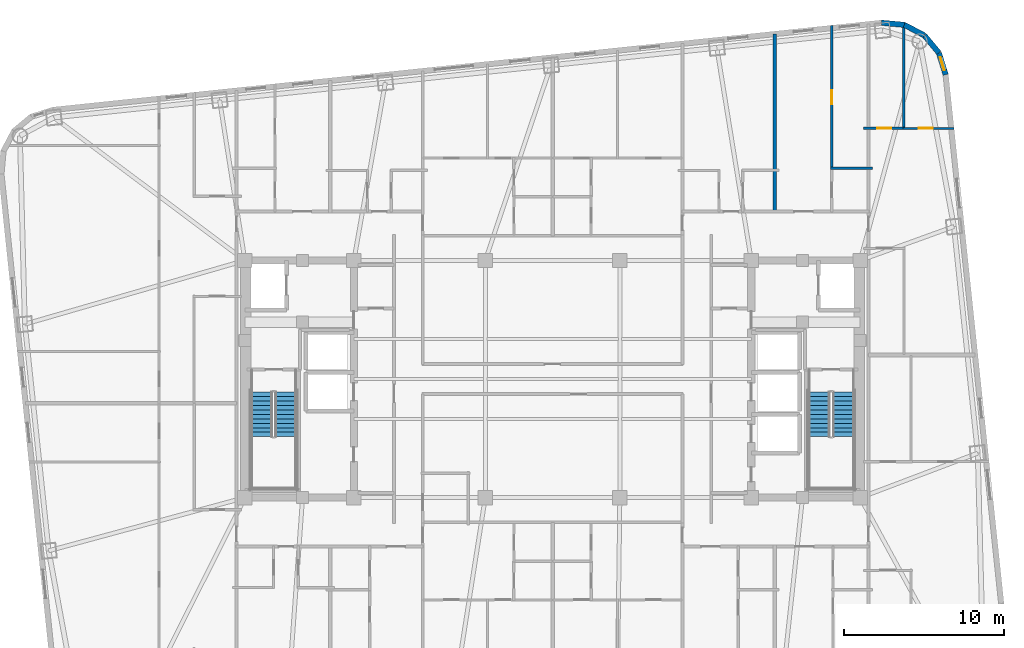
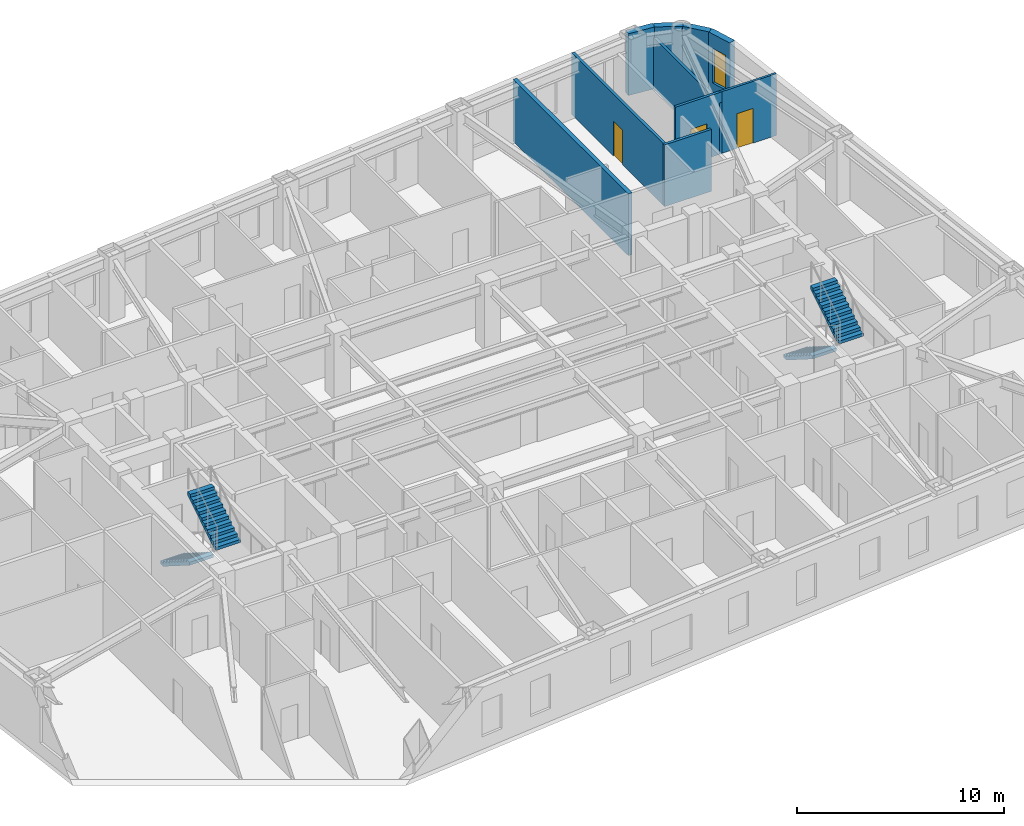
# One storey, part 9 of 11: 10 walls, 4 stair flights, 3 doors, 1 window, 4 openings, 2 elements without a shape of their own.
"""IFC4 building model written with IfcOpenShell, lengths in metres."""

import ifcopenshell
import ifcopenshell.guid

model = None  # the IFC model being written
_history = None  # IfcOwnerHistory: only IFC2X3 demands one
_inside = {}  # id of a spatial element -> (the spatial element, [elements in it])
_under = {}  # id of a project, library or spatial element -> (it, [spatial elements below it])
_declared = {}  # id of a project -> (the project, [libraries it declares])
_typed = {}  # id of a type object -> (the type object, [elements of that type])
_made_of = {}  # id of a material, layer set ... -> (it, [elements and type objects made of it])


def new_model(schema):
    """Start an empty IFC model of exactly this schema.

    Asked for "IFC4X3", IfcOpenShell would pick the latest addendum, in which some entities
    have other attributes; the version numbers below select the first issue.
    IFC2X3 requires an IfcOwnerHistory on every rooted entity: one is made here for all.
    """
    global model, _history
    if schema == "IFC4X3":
        model = ifcopenshell.file(schema_version=(4, 3, 0, 0))
    else:
        model = ifcopenshell.file(schema=schema)
    _inside.clear()
    _under.clear()
    _declared.clear()
    _typed.clear()
    _made_of.clear()
    _history = None
    if model.schema == "IFC2X3":
        org = make("IfcOrganization", Name="unknown")
        user = make(
            "IfcPersonAndOrganization",
            ThePerson=make("IfcPerson", FamilyName="unknown"),
            TheOrganization=org,
        )
        app = make(
            "IfcApplication",
            ApplicationDeveloper=org,
            Version="unknown",
            ApplicationFullName="unknown",
            ApplicationIdentifier="unknown",
        )
        _history = make(
            "IfcOwnerHistory",
            OwningUser=user,
            OwningApplication=app,
            ChangeAction="ADDED",
            CreationDate=0,
        )
    return model


def make(cls, **values):
    """One entity of the class cls with the attributes given. An attribute that is None is left unset."""
    return model.create_entity(
        cls, **{name: value for name, value in values.items() if value is not None}
    )


def rooted(cls, **values):
    """An entity with a GlobalId (a new one), such as an element, a storey or a relation."""
    return make(cls, GlobalId=ifcopenshell.guid.new(), OwnerHistory=_history, **values)


def si_unit(unit_type, name, prefix=None):
    """IfcSIUnit, for example si_unit("LENGTHUNIT", "METRE", prefix="MILLI")."""
    return make("IfcSIUnit", UnitType=unit_type, Prefix=prefix, Name=name)


def assignment(units):
    """IfcUnitAssignment: the units of a project."""
    return None if units is None else make("IfcUnitAssignment", Units=units)


def point(xyz):
    """IfcCartesianPoint."""
    return None if xyz is None else make("IfcCartesianPoint", Coordinates=xyz)


def direction(xyz):
    """IfcDirection."""
    return None if xyz is None else make("IfcDirection", DirectionRatios=xyz)


def frame(location, z_axis=None, x_axis=None):
    """IfcAxis2Placement3D, a coordinate frame: its origin and axes. An axis left out is left unset."""
    return make(
        "IfcAxis2Placement3D",
        Location=point(location),
        Axis=direction(z_axis),
        RefDirection=direction(x_axis),
    )


def frame_2d(location, x_axis=None):
    """IfcAxis2Placement2D, a coordinate frame in the plane: its origin and x axis."""
    return make(
        "IfcAxis2Placement2D", Location=point(location), RefDirection=direction(x_axis)
    )


def origin():
    """The frame at (0, 0, 0) with its axes left unset."""
    return frame((0.0, 0.0, 0.0))


def place(relative_to, where):
    """IfcLocalPlacement: puts the frame where relative to a parent placement (None: the world)."""
    return make(
        "IfcLocalPlacement", PlacementRelTo=relative_to, RelativePlacement=where
    )


def context(
    kind, dimensions, precision=None, world=None, true_north=None, identifier=None
):
    """IfcGeometricRepresentationContext, for example the 3D "Model" context."""
    return make(
        "IfcGeometricRepresentationContext",
        ContextIdentifier=identifier,
        ContextType=kind,
        CoordinateSpaceDimension=dimensions,
        Precision=precision,
        WorldCoordinateSystem=world,
        TrueNorth=true_north,
    )


def subcontext(parent, identifier, kind, view, scale=None):
    """IfcGeometricRepresentationSubContext, for example "Body" below "Model"."""
    return make(
        "IfcGeometricRepresentationSubContext",
        ContextIdentifier=identifier,
        ContextType=kind,
        ParentContext=parent,
        TargetScale=scale,
        TargetView=view,
    )


def project(units=None, contexts=None):
    """IfcProject with its units and contexts."""
    return rooted(
        "IfcProject",
        Name="project",
        RepresentationContexts=contexts,
        UnitsInContext=assignment(units),
    )


def spatial(cls, under=None, at=None, **own):
    """A site, building, storey or space (cls), placed at a placement, below another one or the project."""
    s = rooted(cls, ObjectPlacement=at, **own)
    if under is not None:
        _under.setdefault(under.id(), (under, []))[1].append(s)
    return s


def polyline(points):
    """IfcPolyline through the points."""
    return make("IfcPolyline", Points=[point(p) for p in points])


def profile(cls, at=None, kind="AREA", **sizes):
    """A parametric profile (cls). Its sizes go by their IFC names, for example OverallWidth=200.0."""
    return make(cls, ProfileType=kind, Position=at, **sizes)


def rectangle(**sizes):
    """IfcRectangleProfileDef."""
    return profile("IfcRectangleProfileDef", **sizes)


def outline(outer, holes=None, kind="AREA"):
    """IfcArbitraryClosedProfileDef: a profile drawn as a closed curve; with holes, ...WithVoids."""
    if holes is None:
        return make("IfcArbitraryClosedProfileDef", ProfileType=kind, OuterCurve=outer)
    return make(
        "IfcArbitraryProfileDefWithVoids",
        ProfileType=kind,
        OuterCurve=outer,
        InnerCurves=holes,
    )


def extrude(swept, where, along, depth):
    """IfcExtrudedAreaSolid: the profile swept, set in the frame where, extruded along a direction by depth."""
    return make(
        "IfcExtrudedAreaSolid",
        SweptArea=swept,
        Position=where,
        ExtrudedDirection=direction(along),
        Depth=depth,
    )


def shape(context_of_items, identifier, shape_type, items):
    """IfcShapeRepresentation: the items that make up one representation, for example the "Body"."""
    return make(
        "IfcShapeRepresentation",
        ContextOfItems=context_of_items,
        RepresentationIdentifier=identifier,
        RepresentationType=shape_type,
        Items=items,
    )


def material(Name=None, Category=None):
    """IfcMaterial."""
    return make("IfcMaterial", Name=Name, Category=Category)


def layer(
    of_material, thickness, ventilated=None, Name=None, Category=None, Priority=None
):
    """IfcMaterialLayer: one layer of a wall or slab, of a material (None: an air gap)."""
    return make(
        "IfcMaterialLayer",
        Material=of_material,
        LayerThickness=thickness,
        IsVentilated=ventilated,
        Name=Name,
        Category=Category,
        Priority=Priority,
    )


def layer_set(layers, Name=None):
    """IfcMaterialLayerSet."""
    return make("IfcMaterialLayerSet", MaterialLayers=layers, LayerSetName=Name)


def made_of(thing, what):
    """Note that an element or type object is made of a material, layer set ...; save() writes the relation."""
    if what is not None:
        _made_of.setdefault(what.id(), (what, []))[1].append(thing)
    return thing


def type_object(cls, material=None, **own):
    """A type object (cls), such as IfcWallType, which elements share."""
    return made_of(rooted(cls, **own), material)


def element(
    cls,
    number,
    at=None,
    inside=None,
    cuts=None,
    type_object=None,
    material=None,
    context=None,
    identifier="Body",
    shape_type=None,
    held_by="IfcProductDefinitionShape",
    body=None,
    shapes=None,
    **own,
):
    """One element of the class cls, such as IfcWall. Its Tag is "e" and its number.

    at: its placement. inside: the storey or other place that contains it. cuts: it is an
    opening in that element (IfcRelVoidsElement). A single representation is given by context,
    identifier, shape_type and body (its items); several are given by shapes. held_by: the class
    of the entity that holds the representations. save() writes the other relations.
    """
    e = rooted(cls, Tag="e%d" % number, ObjectPlacement=at, **own)
    if body is not None:
        shapes = [shape(context, identifier, shape_type, body)]
    if shapes is not None:
        e.Representation = make(held_by, Representations=shapes)
    if inside is not None:
        _inside.setdefault(inside.id(), (inside, []))[1].append(e)
    if cuts is not None:
        rooted(
            "IfcRelVoidsElement", RelatingBuildingElement=cuts, RelatedOpeningElement=e
        )
    if type_object is not None:
        _typed.setdefault(type_object.id(), (type_object, []))[1].append(e)
    return made_of(e, material)


def fill(opening, filler):
    """IfcRelFillsElement: the door or window that sits in an opening."""
    return rooted(
        "IfcRelFillsElement",
        RelatingOpeningElement=opening,
        RelatedBuildingElement=filler,
    )


def aggregate(whole, parts):
    """IfcRelAggregates: a whole, such as a stair, and the parts it consists of."""
    return rooted("IfcRelAggregates", RelatingObject=whole, RelatedObjects=parts)


def save(model, path):
    """Write the relations noted so far, then the file.

    IfcRelAggregates (storeys below a building ...), IfcRelContainedInSpatialStructure (elements
    in a storey), IfcRelDefinesByType, IfcRelAssociatesMaterial and IfcRelDeclares: one each for
    every whole, place, type object, material and project.
    """
    for whole, parts in _under.values():
        aggregate(whole, parts)
    for where, things in _inside.values():
        rooted(
            "IfcRelContainedInSpatialStructure",
            RelatedElements=things,
            RelatingStructure=where,
        )
    for kind, things in _typed.values():
        rooted("IfcRelDefinesByType", RelatedObjects=things, RelatingType=kind)
    for what, things in _made_of.values():
        rooted("IfcRelAssociatesMaterial", RelatedObjects=things, RelatingMaterial=what)
    for by, libraries in _declared.values():
        rooted("IfcRelDeclares", RelatingContext=by, RelatedDefinitions=libraries)
    model.write(path)


model = new_model("IFC4")

# Units and contexts
model_context = context("Model", 3, precision=1e-05, world=origin(), true_north=direction((0.0, 1.0)))
body_context = subcontext(model_context, "Body", "Model", "MODEL_VIEW")
ifc_project = project(units=[si_unit("LENGTHUNIT", "METRE"), si_unit("AREAUNIT", "SQUARE_METRE"), si_unit("VOLUMEUNIT", "CUBIC_METRE"), si_unit("PLANEANGLEUNIT", "RADIAN"), si_unit("MASSUNIT", "GRAM", prefix="KILO")], contexts=[model_context])

# Site, building, storey
site_placement = place(None, origin())
site = spatial("IfcSite", under=ifc_project, at=site_placement, CompositionType="ELEMENT")
building_placement = place(site_placement, origin())
building = spatial("IfcBuilding", under=site, at=building_placement, Name="Voryun Gate Residences", CompositionType="ELEMENT")
storey_placement = place(building_placement, frame((0.0, 0.0, 163.800048828125)))
storey = spatial("IfcBuildingStorey", under=building, at=storey_placement, Name="L40", CompositionType="ELEMENT", Elevation=163.800048828125)

# Walls
ifc_material_1 = material(Name="Charcoal terracotta masonry", Category="masonry")
ifc_layer_1 = layer(ifc_material_1, 0.340087890625, Name="W_EXT_TERRACOTTA_340")
ifc_layer_set_1 = layer_set([ifc_layer_1], Name="Charcoal terracotta masonry")
wall_type_1 = type_object("IfcWallType", Name="W_EXT_TERRACOTTA_340", PredefinedType="ELEMENTEDWALL", material=ifc_layer_set_1)
wall_1_placement = place(storey_placement, frame((20.5263671875, 22.235107421875, 0.0), z_axis=(0.0, 0.0, 1.0), x_axis=(0.995800460351, -0.091550222087, 0.0)))
element("IfcWall", 1, at=wall_1_placement, inside=storey, type_object=wall_type_1, Name="Exterior wall WEXT-L40-12", PredefinedType="ELEMENTEDWALL", context=body_context, shape_type="SweptSolid", body=[
    extrude(rectangle(XDim=1.43212890625, YDim=0.340087890625, at=frame_2d((0.716064453125, 0.0))), origin(), (0.0, 0.0, 1.0), 3.64990234375),
])
wall_2_placement = place(storey_placement, frame((21.952392578125, 22.10400390625, 0.0), z_axis=(0.0, 0.0, 1.0), x_axis=(0.885023004245, -0.465547292933, 0.0)))
element("IfcWall", 2, at=wall_2_placement, inside=storey, type_object=wall_type_1, Name="Exterior wall WEXT-L40-13", PredefinedType="ELEMENTEDWALL", context=body_context, shape_type="SweptSolid", body=[
    extrude(rectangle(XDim=1.414794921875, YDim=0.340087890625, at=frame_2d((0.70751953125, 0.0))), origin(), (0.0, 0.0, 1.0), 3.64990234375),
])
wall_3_placement = place(storey_placement, frame((23.20458984375, 21.4453125, 0.0), z_axis=(0.0, 0.0, 1.0), x_axis=(0.639539337522, -0.768758372808, 0.0)))
element("IfcWall", 3, at=wall_3_placement, inside=storey, type_object=wall_type_1, Name="Exterior wall WEXT-L40-14", PredefinedType="ELEMENTEDWALL", context=body_context, shape_type="SweptSolid", body=[
    extrude(rectangle(XDim=1.4150390625, YDim=0.340087890625, at=frame_2d((0.70751953125, 0.0))), origin(), (0.0, 0.0, 1.0), 3.64990234375),
])

# Wall, opening, window
wall_4_placement = place(storey_placement, frame((24.109619140625, 20.357421875, 0.0), z_axis=(0.0, 0.0, 1.0), x_axis=(0.296420660287, -0.955057481074, 0.0)))
wall_4 = element("IfcWall", 4, at=wall_4_placement, inside=storey, type_object=wall_type_1, Name="Exterior wall WEXT-L40-15", PredefinedType="ELEMENTEDWALL", context=body_context, shape_type="SweptSolid", body=[
    extrude(rectangle(XDim=1.432373046875, YDim=0.340087890625, at=frame_2d((0.71630859375, 0.0))), origin(), (0.0, 0.0, 1.0), 3.64990234375),
])
opening_1_placement = place(wall_4_placement, frame((0.291015625, 0.0, 0.75)))
opening_1 = element("IfcOpeningElement", 5, at=opening_1_placement, cuts=wall_4, Name="Opening WN9", PredefinedType="OPENING", context=body_context, shape_type="SweptSolid", body=[
    extrude(rectangle(XDim=0.85009765625, YDim=2.050048828125, at=frame_2d((0.425048828125, 1.02490234375))), frame((0.0, 0.179931640625, 0.0), z_axis=(0.0, -1.0, 0.0), x_axis=(1.0, 0.0, 0.0)), (0.0, 0.0, 1.0), 0.360107421875),
])
ifc_material_2 = material(Name="Laminated low-E glass", Category="glass")
window_type = type_object("IfcWindowType", Name="WN_RES_CASEMENT_850", PartitioningType="SINGLE_PANEL", PredefinedType="WINDOW", material=ifc_material_2)
window_placement = place(opening_1_placement, origin())
window = element("IfcWindow", 6, at=window_placement, inside=storey, type_object=window_type, Name="Window WN-L40-DWFIX-27", OverallHeight=2.050048828125, OverallWidth=0.85009765625, PartitioningType="SINGLE_PANEL", PredefinedType="WINDOW", context=body_context, shape_type="SweptSolid", body=[
    extrude(rectangle(XDim=0.85009765625, YDim=2.050048828125, at=frame_2d((0.425048828125, 1.02490234375))), frame((0.0, 0.030029296875, 0.0), z_axis=(0.0, -1.0, 0.0), x_axis=(1.0, 0.0, 0.0)), (0.0, 0.0, 1.0), 0.06005859375),
])
fill(opening_1, window)

# Wall
ifc_material_3 = material(Name="Concrete C40/50", Category="concrete")
ifc_layer_2 = layer(ifc_material_3, 0.219970703125, Name="W_PARTY_ACOUSTIC_220")
ifc_layer_set_2 = layer_set([ifc_layer_2], Name="Concrete C40/50")
wall_type_2 = type_object("IfcWallType", Name="W_PARTY_ACOUSTIC_220", PredefinedType="PARTITIONING", material=ifc_layer_set_2)
wall_5_placement = place(storey_placement, frame((13.864990234375, 10.3701171875, 0.0), z_axis=(0.0, 0.0, 1.0), x_axis=(0.0, 1.0, 0.0)))
element("IfcWall", 7, at=wall_5_placement, inside=storey, type_object=wall_type_2, Name="Partition wall WP-L40-NPTY-4", PredefinedType="PARTITIONING", context=body_context, shape_type="SweptSolid", body=[
    extrude(rectangle(XDim=11.164794921875, YDim=0.219970703125, at=frame_2d((5.58251953125, 0.0))), origin(), (0.0, 0.0, 1.0), 3.64990234375),
])

# Wall, opening, door
ifc_material_4 = material(Name="Gypsum acoustic partition")
ifc_layer_3 = layer(ifc_material_4, 0.125, Name="W_UNIT_PART_125")
ifc_layer_set_3 = layer_set([ifc_layer_3], Name="Gypsum acoustic partition")
wall_type_3 = type_object("IfcWallType", Name="W_UNIT_PART_125", PredefinedType="PARTITIONING", material=ifc_layer_set_3)
wall_6_placement = place(storey_placement, frame((21.860107421875, 15.64208984375, 0.0), z_axis=(0.0, 0.0, 1.0), x_axis=(1.0, 0.0, 0.0)))
wall_6 = element("IfcWall", 8, at=wall_6_placement, inside=storey, type_object=wall_type_3, Name="Partition wall WP-L40-E2-OHZ", PredefinedType="PARTITIONING", context=body_context, shape_type="SweptSolid", body=[
    extrude(rectangle(XDim=3.1767578125, YDim=0.125, at=frame_2d((1.58837890625, 0.0))), origin(), (0.0, 0.0, 1.0), 3.64990234375),
])
opening_2_placement = place(wall_6_placement, frame((0.9794921875, 0.0, 0.0)))
opening_2 = element("IfcOpeningElement", 9, at=opening_2_placement, cuts=wall_6, Name="Opening D-INT-2", PredefinedType="OPENING", context=body_context, shape_type="SweptSolid", body=[
    extrude(rectangle(XDim=0.89990234375, YDim=2.050048828125, at=frame_2d((0.449951171875, 1.02490234375))), frame((0.0, 0.072509765625, 0.0), z_axis=(0.0, -1.0, 0.0), x_axis=(1.0, 0.0, 0.0)), (0.0, 0.0, 1.0), 0.14501953125),
])
ifc_material_5 = material(Name="Architectural oak veneer")
door_type = type_object("IfcDoorType", Name="DR_INT_BATH_900", OperationType="NOTDEFINED", PredefinedType="DOOR", material=ifc_material_5)
door_1_placement = place(opening_2_placement, origin())
door_1 = element("IfcDoor", 10, at=door_1_placement, inside=storey, type_object=door_type, Name="Door DR-L40-E2-DMB", OperationType="SINGLE_SWING_LEFT", OverallHeight=2.050048828125, OverallWidth=0.89990234375, PredefinedType="DOOR", context=body_context, shape_type="SweptSolid", body=[
    extrude(rectangle(XDim=0.89990234375, YDim=2.050048828125, at=frame_2d((0.449951171875, 1.02490234375))), frame((0.0, 0.02490234375, 0.0), z_axis=(0.0, -1.0, 0.0), x_axis=(1.0, 0.0, 0.0)), (0.0, 0.0, 1.0), 0.050048828125),
])
fill(opening_2, door_1)

# Wall
ifc_material_6 = material(Name="Gypsum moisture-resistant partition")
ifc_layer_4 = layer(ifc_material_6, 0.14990234375, Name="W_WET_PLUMB_150")
ifc_layer_set_4 = layer_set([ifc_layer_4], Name="Gypsum moisture-resistant partition")
wall_type_4 = type_object("IfcWallType", Name="W_WET_PLUMB_150", PredefinedType="PLUMBINGWALL", material=ifc_layer_set_4)
wall_7_placement = place(storey_placement, frame((17.3369140625, 13.14990234375, 0.0), z_axis=(0.0, 0.0, 1.0), x_axis=(1.0, 0.0, 0.0)))
element("IfcWall", 11, at=wall_7_placement, inside=storey, type_object=wall_type_4, Name="Partition wall WP-L40-N5-SKB", PredefinedType="PLUMBINGWALL", context=body_context, shape_type="SweptSolid", body=[
    extrude(rectangle(XDim=2.633056640625, YDim=0.14990234375, at=frame_2d((1.31640625, 0.0))), origin(), (0.0, 0.0, 1.0), 3.64990234375),
])

# Wall, opening, door
wall_8_placement = place(storey_placement, frame((17.4169921875, 13.110107421875, 0.0), z_axis=(0.0, 0.0, 1.0), x_axis=(0.0, 1.0, 0.0)))
wall_8 = element("IfcWall", 12, at=wall_8_placement, inside=storey, type_object=wall_type_4, Name="Partition wall WP-L40-N5-SVT2", PredefinedType="PLUMBINGWALL", context=body_context, shape_type="SweptSolid", body=[
    extrude(rectangle(XDim=8.948974609375, YDim=0.14990234375, at=frame_2d((4.474609375, 0.0))), origin(), (0.0, 0.0, 1.0), 3.64990234375),
])
opening_3_placement = place(wall_8_placement, frame((4.024658203125, 0.0, 0.0)))
opening_3 = element("IfcOpeningElement", 13, at=opening_3_placement, cuts=wall_8, Name="Opening D-INT-2", PredefinedType="OPENING", context=body_context, shape_type="SweptSolid", body=[
    extrude(rectangle(XDim=0.89990234375, YDim=2.050048828125, at=frame_2d((0.449951171875, 1.02490234375))), frame((0.0, 0.0849609375, 0.0), z_axis=(0.0, -1.0, 0.0), x_axis=(1.0, 0.0, 0.0)), (0.0, 0.0, 1.0), 0.169921875),
])
door_2_placement = place(opening_3_placement, origin())
door_2 = element("IfcDoor", 14, at=door_2_placement, inside=storey, type_object=door_type, Name="Door DR-L40-N5-DK", OperationType="SINGLE_SWING_RIGHT", OverallHeight=2.050048828125, OverallWidth=0.89990234375, PredefinedType="DOOR", context=body_context, shape_type="SweptSolid", body=[
    extrude(rectangle(XDim=0.89990234375, YDim=2.050048828125, at=frame_2d((0.449951171875, 1.02490234375))), frame((0.0, 0.02490234375, 0.0), z_axis=(0.0, -1.0, 0.0), x_axis=(1.0, 0.0, 0.0)), (0.0, 0.0, 1.0), 0.050048828125),
])
fill(opening_3, door_2)

wall_9_placement = place(storey_placement, frame((19.39990234375, 15.64208984375, 0.0), z_axis=(0.0, 0.0, 1.0), x_axis=(1.0, 0.0, 0.0)))
wall_9 = element("IfcWall", 15, at=wall_9_placement, inside=storey, type_object=wall_type_4, Name="Partition wall WP-L40-E2-IBB", PredefinedType="PLUMBINGWALL", context=body_context, shape_type="SweptSolid", body=[
    extrude(rectangle(XDim=2.60009765625, YDim=0.14990234375, at=frame_2d((1.300048828125, 0.0))), origin(), (0.0, 0.0, 1.0), 3.64990234375),
])
opening_4_placement = place(wall_9_placement, frame((0.85009765625, 0.0, 0.0)))
opening_4 = element("IfcOpeningElement", 16, at=opening_4_placement, cuts=wall_9, Name="Opening D-INT-2", PredefinedType="OPENING", context=body_context, shape_type="SweptSolid", body=[
    extrude(rectangle(XDim=0.89990234375, YDim=2.050048828125, at=frame_2d((0.449951171875, 1.02490234375))), frame((0.0, 0.0849609375, 0.0), z_axis=(0.0, -1.0, 0.0), x_axis=(1.0, 0.0, 0.0)), (0.0, 0.0, 1.0), 0.169921875),
])
door_3_placement = place(opening_4_placement, origin())
door_3 = element("IfcDoor", 17, at=door_3_placement, inside=storey, type_object=door_type, Name="Door DR-L40-E2-DB", OperationType="SINGLE_SWING_RIGHT", OverallHeight=2.050048828125, OverallWidth=0.89990234375, PredefinedType="DOOR", context=body_context, shape_type="SweptSolid", body=[
    extrude(rectangle(XDim=0.89990234375, YDim=2.050048828125, at=frame_2d((0.449951171875, 1.02490234375))), frame((0.0, 0.02490234375, 0.0), z_axis=(0.0, -1.0, 0.0), x_axis=(1.0, 0.0, 0.0)), (0.0, 0.0, 1.0), 0.050048828125),
])
fill(opening_4, door_3)

# Wall
wall_10_placement = place(storey_placement, frame((21.919921875, 15.56201171875, 0.0), z_axis=(0.0, 0.0, 1.0), x_axis=(0.0, 1.0, 0.0)))
element("IfcWall", 18, at=wall_10_placement, inside=storey, type_object=wall_type_4, Name="Partition wall WP-L40-E2-VTB", PredefinedType="PLUMBINGWALL", context=body_context, shape_type="SweptSolid", body=[
    extrude(rectangle(XDim=6.69580078125, YDim=0.14990234375, at=frame_2d((3.347900390625, 0.0))), origin(), (0.0, 0.0, 1.0), 3.0400390625),
])

# Stair, stair flights
ifc_material_7 = material(Name="Concrete C40/50", Category="concrete")
stair_type = type_object("IfcStairType", Name="STR_CORE_DOGLEG_1350", PredefinedType="HALF_TURN_STAIR", material=ifc_material_7)
stair_1_placement = place(storey_placement, origin())
stair_1 = element("IfcStair", 19, at=stair_1_placement, inside=storey, type_object=stair_type, Name="L40 Special Escape Stair ST-W1", PredefinedType="HALF_TURN_STAIR")
ifc_material_8 = material(Name="Concrete C40/50", Category="concrete")
stair_flight_type = type_object("IfcStairFlightType", Name="FLT_CORE_1350", PredefinedType="STRAIGHT", material=ifc_material_8)
stair_flight_1_placement = place(storey_placement, frame((-18.14990234375, -0.800048828125, 0.0), z_axis=(0.0, 0.0, 1.0), x_axis=(0.0, -1.0, 0.0)))
stair_flight_1 = element("IfcStairFlight", 20, at=stair_flight_1_placement, type_object=stair_flight_type, Name="ST-W1 flight 1", NumberOfRisers=11, NumberOfTreads=10, PredefinedType="STRAIGHT", RiserHeight=0.177272727, TreadLength=0.28, context=body_context, shape_type="SweptSolid", body=[
    extrude(outline(polyline([(0.0, 0.0), (0.0, 0.17724609375), (0.280029296875, 0.17724609375), (0.280029296875, 0.3544921875), (0.56005859375, 0.3544921875), (0.56005859375, 0.53173828125), (0.840087890625, 0.53173828125), (0.840087890625, 0.708984375), (1.1201171875, 0.708984375), (1.1201171875, 0.886474609375), (1.39990234375, 0.886474609375), (1.39990234375, 1.063720703125), (1.679931640625, 1.063720703125), (1.679931640625, 1.240966796875), (1.9599609375, 1.240966796875), (1.9599609375, 1.418212890625), (2.239990234375, 1.418212890625), (2.239990234375, 1.595458984375), (2.52001953125, 1.595458984375), (2.52001953125, 1.772705078125), (2.800048828125, 1.772705078125), (2.800048828125, 1.949951171875), (2.800048828125, 1.59521484375), (0.2802734375, 0.0), (0.0, 0.0)])), frame((0.0, 0.675048828125, 0.0), z_axis=(0.0, -1.0, 0.0), x_axis=(1.0, 0.0, 0.0)), (0.0, 0.0, 1.0), 1.35009765625),
])
stair_flight_2_placement = place(storey_placement, frame((-16.64990234375, -3.60009765625, 1.949951171875), z_axis=(0.0, 0.0, 1.0), x_axis=(0.0, 1.0, 0.0)))
stair_flight_2 = element("IfcStairFlight", 21, at=stair_flight_2_placement, type_object=stair_flight_type, Name="ST-W1 flight 2", NumberOfRisers=11, NumberOfTreads=10, PredefinedType="STRAIGHT", RiserHeight=0.177272727, TreadLength=0.28, context=body_context, shape_type="SweptSolid", body=[
    extrude(outline(polyline([(0.0, 0.0), (0.0, 0.17724609375), (0.280029296875, 0.17724609375), (0.280029296875, 0.3544921875), (0.56005859375, 0.3544921875), (0.56005859375, 0.53173828125), (0.840087890625, 0.53173828125), (0.840087890625, 0.708984375), (1.1201171875, 0.708984375), (1.1201171875, 0.886474609375), (1.39990234375, 0.886474609375), (1.39990234375, 1.063720703125), (1.679931640625, 1.063720703125), (1.679931640625, 1.240966796875), (1.9599609375, 1.240966796875), (1.9599609375, 1.418212890625), (2.239990234375, 1.418212890625), (2.239990234375, 1.595458984375), (2.52001953125, 1.595458984375), (2.52001953125, 1.772705078125), (2.800048828125, 1.772705078125), (2.800048828125, 1.949951171875), (2.800048828125, 1.59521484375), (0.2802734375, 0.0), (0.0, 0.0)])), frame((0.0, 0.675048828125, 0.0), z_axis=(0.0, -1.0, 0.0), x_axis=(1.0, 0.0, 0.0)), (0.0, 0.0, 1.0), 1.35009765625),
])
aggregate(stair_1, [stair_flight_1, stair_flight_2])

stair_2_placement = place(storey_placement, origin())
stair_2 = element("IfcStair", 22, at=stair_2_placement, inside=storey, type_object=stair_type, Name="L40 Special Escape Stair ST-E1", PredefinedType="HALF_TURN_STAIR")
stair_flight_3_placement = place(storey_placement, frame((16.64990234375, -0.800048828125, 0.0), z_axis=(0.0, 0.0, 1.0), x_axis=(0.0, -1.0, 0.0)))
stair_flight_3 = element("IfcStairFlight", 23, at=stair_flight_3_placement, type_object=stair_flight_type, Name="ST-E1 flight 1", NumberOfRisers=11, NumberOfTreads=10, PredefinedType="STRAIGHT", RiserHeight=0.177272727, TreadLength=0.28, context=body_context, shape_type="SweptSolid", body=[
    extrude(outline(polyline([(0.0, 0.0), (0.0, 0.17724609375), (0.280029296875, 0.17724609375), (0.280029296875, 0.3544921875), (0.56005859375, 0.3544921875), (0.56005859375, 0.53173828125), (0.840087890625, 0.53173828125), (0.840087890625, 0.708984375), (1.1201171875, 0.708984375), (1.1201171875, 0.886474609375), (1.39990234375, 0.886474609375), (1.39990234375, 1.063720703125), (1.679931640625, 1.063720703125), (1.679931640625, 1.240966796875), (1.9599609375, 1.240966796875), (1.9599609375, 1.418212890625), (2.239990234375, 1.418212890625), (2.239990234375, 1.595458984375), (2.52001953125, 1.595458984375), (2.52001953125, 1.772705078125), (2.800048828125, 1.772705078125), (2.800048828125, 1.949951171875), (2.800048828125, 1.59521484375), (0.2802734375, 0.0), (0.0, 0.0)])), frame((0.0, 0.675048828125, 0.0), z_axis=(0.0, -1.0, 0.0), x_axis=(1.0, 0.0, 0.0)), (0.0, 0.0, 1.0), 1.35009765625),
])
stair_flight_4_placement = place(storey_placement, frame((18.14990234375, -3.60009765625, 1.949951171875), z_axis=(0.0, 0.0, 1.0), x_axis=(0.0, 1.0, 0.0)))
stair_flight_4 = element("IfcStairFlight", 24, at=stair_flight_4_placement, type_object=stair_flight_type, Name="ST-E1 flight 2", NumberOfRisers=11, NumberOfTreads=10, PredefinedType="STRAIGHT", RiserHeight=0.177272727, TreadLength=0.28, context=body_context, shape_type="SweptSolid", body=[
    extrude(outline(polyline([(0.0, 0.0), (0.0, 0.17724609375), (0.280029296875, 0.17724609375), (0.280029296875, 0.3544921875), (0.56005859375, 0.3544921875), (0.56005859375, 0.53173828125), (0.840087890625, 0.53173828125), (0.840087890625, 0.708984375), (1.1201171875, 0.708984375), (1.1201171875, 0.886474609375), (1.39990234375, 0.886474609375), (1.39990234375, 1.063720703125), (1.679931640625, 1.063720703125), (1.679931640625, 1.240966796875), (1.9599609375, 1.240966796875), (1.9599609375, 1.418212890625), (2.239990234375, 1.418212890625), (2.239990234375, 1.595458984375), (2.52001953125, 1.595458984375), (2.52001953125, 1.772705078125), (2.800048828125, 1.772705078125), (2.800048828125, 1.949951171875), (2.800048828125, 1.59521484375), (0.2802734375, 0.0), (0.0, 0.0)])), frame((0.0, 0.675048828125, 0.0), z_axis=(0.0, -1.0, 0.0), x_axis=(1.0, 0.0, 0.0)), (0.0, 0.0, 1.0), 1.35009765625),
])
aggregate(stair_2, [stair_flight_3, stair_flight_4])

save(model, "model.ifc")
